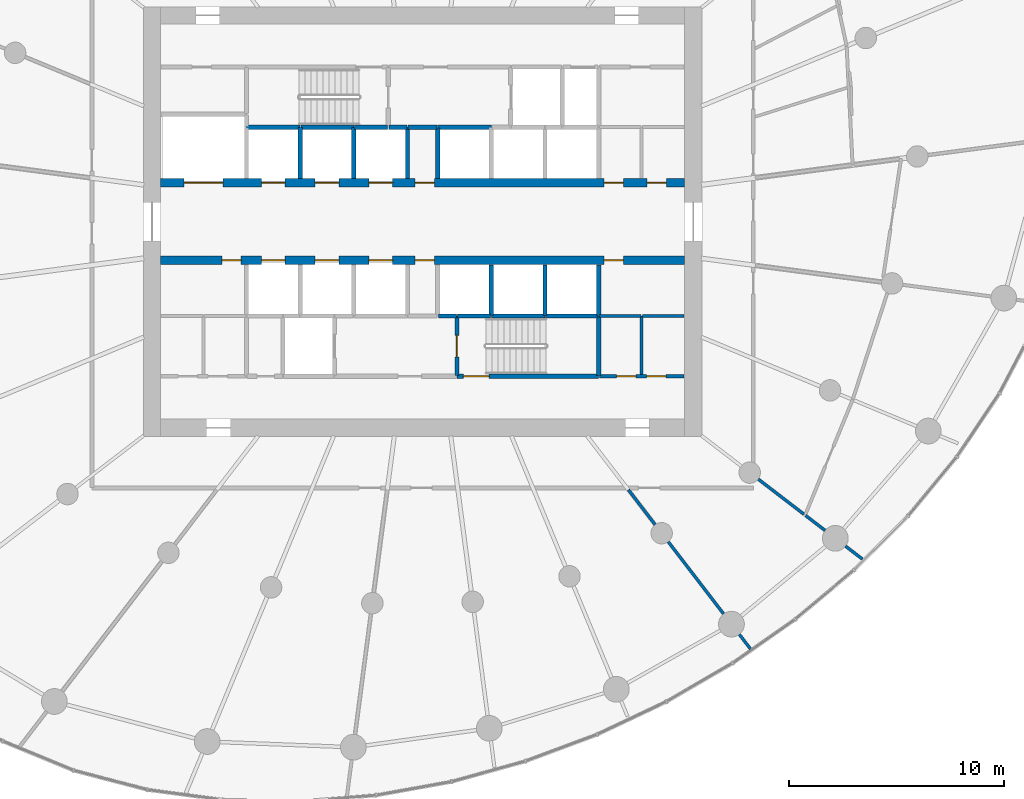
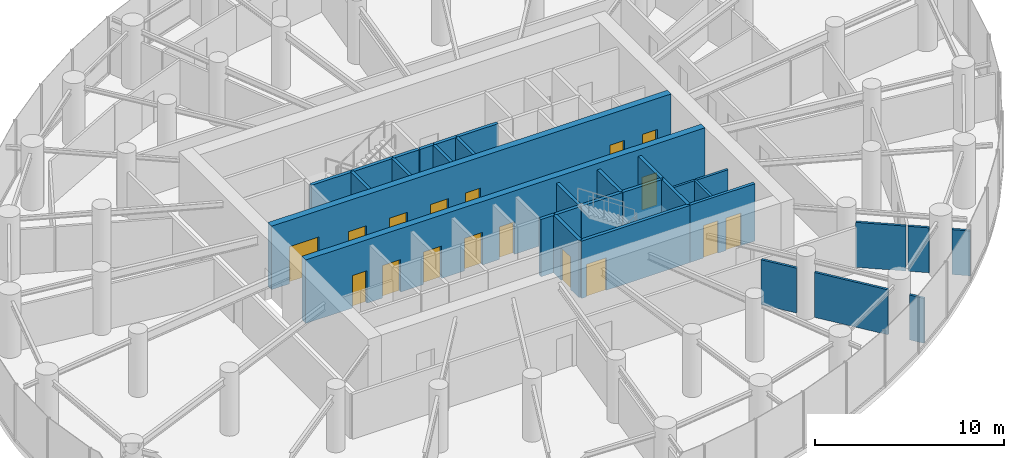
# One storey, part 12 of 18: 32 walls, 17 doors, 17 openings.
"""IFC4 building model written with IfcOpenShell, lengths in metres."""

from ifc_helpers import new_model, si_unit, direction, frame, frame_2d, origin, place, context, subcontext, project, spatial, rectangle, extrude, source, transform, mapped, material, layer, layer_set, type_object, element, fill, save


model = new_model("IFC4")

# Units and contexts
model_context = context("Model", 3, precision=1e-05, world=origin(), true_north=direction((0.0, 1.0)))
body_context = subcontext(model_context, "Body", "Model", "MODEL_VIEW")
ifc_project = project(units=[si_unit("LENGTHUNIT", "METRE"), si_unit("AREAUNIT", "SQUARE_METRE"), si_unit("VOLUMEUNIT", "CUBIC_METRE"), si_unit("PLANEANGLEUNIT", "RADIAN"), si_unit("MASSUNIT", "GRAM", prefix="KILO")], contexts=[model_context])

# Site, building, storey
site_placement = place(None, origin())
site = spatial("IfcSite", under=ifc_project, at=site_placement, CompositionType="ELEMENT")
building_placement = place(site_placement, origin())
building = spatial("IfcBuilding", under=site, at=building_placement, Name="Spindrift Exchange Tower", CompositionType="ELEMENT")
storey_placement = place(building_placement, frame((0.0, 0.0, 116.699951171875)))
storey = spatial("IfcBuildingStorey", under=building, at=storey_placement, Name="L27", CompositionType="ELEMENT", Elevation=116.699951171875)

# Wall, openings, doors
ifc_material_1 = material(Name="Concrete 65 MPa", Category="concrete")
ifc_layer_1 = layer(ifc_material_1, 0.39990234375)
ifc_layer_set_1 = layer_set([ifc_layer_1], Name="RC Spine Wall 400 Concrete 65 MPa")
wall_type_1 = type_object("IfcWallType", Name="RC Spine Wall 400 Concrete 65 MPa", PredefinedType="SHEAR", material=ifc_layer_set_1)
wall_1_placement = place(storey_placement, frame((39.800048828125, 49.800048828125, 0.0), z_axis=(0.0, 0.0, 1.0), x_axis=(1.0, 0.0, 0.0)))
wall_1 = element("IfcWall", 1, at=wall_1_placement, inside=storey, type_object=wall_type_1, Name="Core spine wall N L27", PredefinedType="SHEAR", context=body_context, shape_type="SweptSolid", body=[
    extrude(rectangle(XDim=24.39990234375, YDim=0.39990234375, at=frame_2d((12.199951171875, 0.0))), origin(), (0.0, 0.0, 1.0), 4.10009765625),
])
opening_1_placement = place(wall_1_placement, frame((4.699951171875, 0.0, 0.0)))
opening_1 = element("IfcOpeningElement", 2, at=opening_1_placement, cuts=wall_1, Name="Opening L27-D3", PredefinedType="OPENING", context=body_context, shape_type="SweptSolid", body=[
    extrude(rectangle(XDim=1.10009765625, YDim=2.10009765625, at=frame_2d((0.550048828125, 1.050048828125))), frame((0.0, 0.2099609375, 0.0), z_axis=(0.0, -1.0, 0.0), x_axis=(1.0, 0.0, 0.0)), (0.0, 0.0, 1.0), 0.419921875),
])
opening_2_placement = place(wall_1_placement, frame((7.199951171875, 0.0, 0.0)))
opening_2 = element("IfcOpeningElement", 3, at=opening_2_placement, cuts=wall_1, Name="Opening L27-D4", PredefinedType="OPENING", context=body_context, shape_type="SweptSolid", body=[
    extrude(rectangle(XDim=1.10009765625, YDim=2.10009765625, at=frame_2d((0.550048828125, 1.050048828125))), frame((0.0, 0.2099609375, 0.0), z_axis=(0.0, -1.0, 0.0), x_axis=(1.0, 0.0, 0.0)), (0.0, 0.0, 1.0), 0.419921875),
])
opening_3_placement = place(wall_1_placement, frame((9.699951171875, 0.0, 0.0)))
opening_3 = element("IfcOpeningElement", 4, at=opening_3_placement, cuts=wall_1, Name="Opening L27-D5", PredefinedType="OPENING", context=body_context, shape_type="SweptSolid", body=[
    extrude(rectangle(XDim=1.10009765625, YDim=2.10009765625, at=frame_2d((0.550048828125, 1.050048828125))), frame((0.0, 0.2099609375, 0.0), z_axis=(0.0, -1.0, 0.0), x_axis=(1.0, 0.0, 0.0)), (0.0, 0.0, 1.0), 0.419921875),
])
opening_4_placement = place(wall_1_placement, frame((1.10009765625, 0.0, 0.0)))
opening_4 = element("IfcOpeningElement", 5, at=opening_4_placement, cuts=wall_1, Name="Opening L27-D12", PredefinedType="OPENING", context=body_context, shape_type="SweptSolid", body=[
    extrude(rectangle(XDim=1.800048828125, YDim=2.39990234375, at=frame_2d((0.89990234375, 1.199951171875))), frame((0.0, 0.2099609375, 0.0), z_axis=(0.0, -1.0, 0.0), x_axis=(1.0, 0.0, 0.0)), (0.0, 0.0, 1.0), 0.419921875),
])
opening_5_placement = place(wall_1_placement, frame((20.64990234375, 0.0, 0.0)))
opening_5 = element("IfcOpeningElement", 6, at=opening_5_placement, cuts=wall_1, Name="Opening L27-D47", PredefinedType="OPENING", context=body_context, shape_type="SweptSolid", body=[
    extrude(rectangle(XDim=0.89990234375, YDim=2.10009765625, at=frame_2d((0.449951171875, 1.050048828125))), frame((0.0, 0.2099609375, 0.0), z_axis=(0.0, -1.0, 0.0), x_axis=(1.0, 0.0, 0.0)), (0.0, 0.0, 1.0), 0.419921875),
])
opening_6_placement = place(wall_1_placement, frame((22.64990234375, 0.0, 0.0)))
opening_6 = element("IfcOpeningElement", 7, at=opening_6_placement, cuts=wall_1, Name="Opening L27-D48", PredefinedType="OPENING", context=body_context, shape_type="SweptSolid", body=[
    extrude(rectangle(XDim=0.89990234375, YDim=2.10009765625, at=frame_2d((0.449951171875, 1.050048828125))), frame((0.0, 0.2099609375, 0.0), z_axis=(0.0, -1.0, 0.0), x_axis=(1.0, 0.0, 0.0)), (0.0, 0.0, 1.0), 0.419921875),
])
opening_7_placement = place(wall_1_placement, frame((11.85009765625, 0.0, 0.0)))
opening_7 = element("IfcOpeningElement", 8, at=opening_7_placement, cuts=wall_1, Name="Opening L27-D53", PredefinedType="OPENING", context=body_context, shape_type="SweptSolid", body=[
    extrude(rectangle(XDim=0.89990234375, YDim=2.10009765625, at=frame_2d((0.449951171875, 1.050048828125))), frame((0.0, 0.2099609375, 0.0), z_axis=(0.0, -1.0, 0.0), x_axis=(1.0, 0.0, 0.0)), (0.0, 0.0, 1.0), 0.419921875),
])
ifc_material_2 = material(Name="Stainless steel landing door", Category="steel")
door_type_1 = type_object("IfcDoorType", Name="DR-LANDING-1100-SL", OperationType="DOUBLE_DOOR_SLIDING", PredefinedType="USERDEFINED", material=ifc_material_2)
shared_shape_1 = source(origin(), body_context, "Body", "SweptSolid", [
    extrude(rectangle(XDim=1.10009765625, YDim=2.10009765625, at=frame_2d((0.550048828125, 1.050048828125))), frame((0.0, 0.02490234375, 0.0), z_axis=(0.0, -1.0, 0.0), x_axis=(1.0, 0.0, 0.0)), (0.0, 0.0, 1.0), 0.050048828125),
])
door_1_placement = place(opening_1_placement, origin())
door_1 = element("IfcDoor", 9, at=door_1_placement, inside=storey, type_object=door_type_1, Name="L27 Lift landing door 3", ObjectType="LANDING DOOR", OperationType="DOUBLE_DOOR_SLIDING", OverallHeight=2.10009765625, OverallWidth=1.10009765625, PredefinedType="USERDEFINED", context=body_context, shape_type="MappedRepresentation", body=[
    mapped(shared_shape_1, transform((0.0, 0.0, 0.0), scale=1.0)),
])
fill(opening_1, door_1)
door_2_placement = place(opening_2_placement, origin())
door_2 = element("IfcDoor", 10, at=door_2_placement, inside=storey, type_object=door_type_1, Name="L27 Lift landing door 4", ObjectType="LANDING DOOR", OperationType="DOUBLE_DOOR_SLIDING", OverallHeight=2.10009765625, OverallWidth=1.10009765625, PredefinedType="USERDEFINED", context=body_context, shape_type="MappedRepresentation", body=[
    mapped(shared_shape_1, transform((0.0, 0.0, 0.0), scale=1.0)),
])
fill(opening_2, door_2)
door_3_placement = place(opening_3_placement, origin())
door_3 = element("IfcDoor", 11, at=door_3_placement, inside=storey, type_object=door_type_1, Name="L27 Lift landing door 5", ObjectType="LANDING DOOR", OperationType="DOUBLE_DOOR_SLIDING", OverallHeight=2.10009765625, OverallWidth=1.10009765625, PredefinedType="USERDEFINED", context=body_context, shape_type="MappedRepresentation", body=[
    mapped(shared_shape_1, transform((0.0, 0.0, 0.0), scale=1.0)),
])
fill(opening_3, door_3)
door_type_2 = type_object("IfcDoorType", Name="DR-LANDING-1800-SL", OperationType="DOUBLE_DOOR_SLIDING", PredefinedType="USERDEFINED", material=ifc_material_2)
shared_shape_2 = source(origin(), body_context, "Body", "SweptSolid", [
    extrude(rectangle(XDim=1.800048828125, YDim=2.39990234375, at=frame_2d((0.89990234375, 1.199951171875))), frame((0.0, 0.02490234375, 0.0), z_axis=(0.0, -1.0, 0.0), x_axis=(1.0, 0.0, 0.0)), (0.0, 0.0, 1.0), 0.050048828125),
])
door_4_placement = place(opening_4_placement, origin())
door_4 = element("IfcDoor", 12, at=door_4_placement, inside=storey, type_object=door_type_2, Name="L27 Lift landing door 12", ObjectType="LANDING DOOR", OperationType="DOUBLE_DOOR_SLIDING", OverallHeight=2.39990234375, OverallWidth=1.800048828125, PredefinedType="USERDEFINED", context=body_context, shape_type="MappedRepresentation", body=[
    mapped(shared_shape_2, transform((0.0, 0.0, 0.0), scale=1.0)),
])
fill(opening_4, door_4)
ifc_material_3 = material(Name="Steel access door", Category="steel")
door_type_3 = type_object("IfcDoorType", Name="DR-RISER-900", OperationType="NOTDEFINED", PredefinedType="DOOR", material=ifc_material_3)
shared_shape_3 = source(origin(), body_context, "Body", "SweptSolid", [
    extrude(rectangle(XDim=0.89990234375, YDim=2.10009765625, at=frame_2d((0.449951171875, 1.050048828125))), frame((0.0, 0.02490234375, 0.0), z_axis=(0.0, -1.0, 0.0), x_axis=(1.0, 0.0, 0.0)), (0.0, 0.0, 1.0), 0.050048828125),
])
door_5_placement = place(opening_5_placement, origin())
door_5 = element("IfcDoor", 13, at=door_5_placement, inside=storey, type_object=door_type_3, Name="L27 Riser door 47", OperationType="SINGLE_SWING_RIGHT", OverallHeight=2.10009765625, OverallWidth=0.89990234375, PredefinedType="DOOR", context=body_context, shape_type="MappedRepresentation", body=[
    mapped(shared_shape_3, transform((0.0, 0.0, 0.0), scale=1.0)),
])
fill(opening_5, door_5)
door_6_placement = place(opening_6_placement, origin())
door_6 = element("IfcDoor", 14, at=door_6_placement, inside=storey, type_object=door_type_3, Name="L27 Riser door 48", OperationType="SINGLE_SWING_LEFT", OverallHeight=2.10009765625, OverallWidth=0.89990234375, PredefinedType="DOOR", context=body_context, shape_type="MappedRepresentation", body=[
    mapped(shared_shape_3, transform((0.0, 0.0, 0.0), scale=1.0)),
])
fill(opening_6, door_6)
door_7_placement = place(opening_7_placement, origin())
door_7 = element("IfcDoor", 15, at=door_7_placement, inside=storey, type_object=door_type_3, Name="L27 Riser door 53", OperationType="SINGLE_SWING_RIGHT", OverallHeight=2.10009765625, OverallWidth=0.89990234375, PredefinedType="DOOR", context=body_context, shape_type="MappedRepresentation", body=[
    mapped(shared_shape_3, transform((0.0, 0.0, 0.0), scale=1.0)),
])
fill(opening_7, door_7)

wall_2_placement = place(storey_placement, frame((39.800048828125, 46.199951171875, 0.0), z_axis=(0.0, 0.0, 1.0), x_axis=(1.0, 0.0, 0.0)))
wall_2 = element("IfcWall", 16, at=wall_2_placement, inside=storey, type_object=wall_type_1, Name="Core spine wall S L27", PredefinedType="SHEAR", context=body_context, shape_type="SweptSolid", body=[
    extrude(rectangle(XDim=24.39990234375, YDim=0.39990234375, at=frame_2d((12.199951171875, 0.0))), origin(), (0.0, 0.0, 1.0), 4.10009765625),
])
opening_8_placement = place(wall_2_placement, frame((4.699951171875, 0.0, 0.0)))
opening_8 = element("IfcOpeningElement", 17, at=opening_8_placement, cuts=wall_2, Name="Opening L27-D6", PredefinedType="OPENING", context=body_context, shape_type="SweptSolid", body=[
    extrude(rectangle(XDim=1.10009765625, YDim=2.10009765625, at=frame_2d((0.550048828125, 1.050048828125))), frame((0.0, 0.2099609375, 0.0), z_axis=(0.0, -1.0, 0.0), x_axis=(1.0, 0.0, 0.0)), (0.0, 0.0, 1.0), 0.419921875),
])
opening_9_placement = place(wall_2_placement, frame((7.199951171875, 0.0, 0.0)))
opening_9 = element("IfcOpeningElement", 18, at=opening_9_placement, cuts=wall_2, Name="Opening L27-D7", PredefinedType="OPENING", context=body_context, shape_type="SweptSolid", body=[
    extrude(rectangle(XDim=1.10009765625, YDim=2.10009765625, at=frame_2d((0.550048828125, 1.050048828125))), frame((0.0, 0.2099609375, 0.0), z_axis=(0.0, -1.0, 0.0), x_axis=(1.0, 0.0, 0.0)), (0.0, 0.0, 1.0), 0.419921875),
])
opening_10_placement = place(wall_2_placement, frame((9.699951171875, 0.0, 0.0)))
opening_10 = element("IfcOpeningElement", 19, at=opening_10_placement, cuts=wall_2, Name="Opening L27-D8", PredefinedType="OPENING", context=body_context, shape_type="SweptSolid", body=[
    extrude(rectangle(XDim=1.10009765625, YDim=2.10009765625, at=frame_2d((0.550048828125, 1.050048828125))), frame((0.0, 0.2099609375, 0.0), z_axis=(0.0, -1.0, 0.0), x_axis=(1.0, 0.0, 0.0)), (0.0, 0.0, 1.0), 0.419921875),
])
opening_11_placement = place(wall_2_placement, frame((20.64990234375, 0.0, 0.0)))
opening_11 = element("IfcOpeningElement", 20, at=opening_11_placement, cuts=wall_2, Name="Opening L27-D46", PredefinedType="OPENING", context=body_context, shape_type="SweptSolid", body=[
    extrude(rectangle(XDim=0.89990234375, YDim=2.10009765625, at=frame_2d((0.449951171875, 1.050048828125))), frame((0.0, 0.2099609375, 0.0), z_axis=(0.0, -1.0, 0.0), x_axis=(1.0, 0.0, 0.0)), (0.0, 0.0, 1.0), 0.419921875),
])
opening_12_placement = place(wall_2_placement, frame((2.85009765625, 0.0, 0.0)))
opening_12 = element("IfcOpeningElement", 21, at=opening_12_placement, cuts=wall_2, Name="Opening L27-D52", PredefinedType="OPENING", context=body_context, shape_type="SweptSolid", body=[
    extrude(rectangle(XDim=0.89990234375, YDim=2.10009765625, at=frame_2d((0.449951171875, 1.050048828125))), frame((0.0, 0.2099609375, 0.0), z_axis=(0.0, -1.0, 0.0), x_axis=(1.0, 0.0, 0.0)), (0.0, 0.0, 1.0), 0.419921875),
])
opening_13_placement = place(wall_2_placement, frame((11.85009765625, 0.0, 0.0)))
opening_13 = element("IfcOpeningElement", 22, at=opening_13_placement, cuts=wall_2, Name="Opening L27-D54", PredefinedType="OPENING", context=body_context, shape_type="SweptSolid", body=[
    extrude(rectangle(XDim=0.89990234375, YDim=2.10009765625, at=frame_2d((0.449951171875, 1.050048828125))), frame((0.0, 0.2099609375, 0.0), z_axis=(0.0, -1.0, 0.0), x_axis=(1.0, 0.0, 0.0)), (0.0, 0.0, 1.0), 0.419921875),
])
door_8_placement = place(opening_8_placement, origin())
door_8 = element("IfcDoor", 23, at=door_8_placement, inside=storey, type_object=door_type_1, Name="L27 Lift landing door 6", ObjectType="LANDING DOOR", OperationType="DOUBLE_DOOR_SLIDING", OverallHeight=2.10009765625, OverallWidth=1.10009765625, PredefinedType="USERDEFINED", context=body_context, shape_type="MappedRepresentation", body=[
    mapped(shared_shape_1, transform((0.0, 0.0, 0.0), scale=1.0)),
])
fill(opening_8, door_8)
door_9_placement = place(opening_9_placement, origin())
door_9 = element("IfcDoor", 24, at=door_9_placement, inside=storey, type_object=door_type_1, Name="L27 Lift landing door 7", ObjectType="LANDING DOOR", OperationType="DOUBLE_DOOR_SLIDING", OverallHeight=2.10009765625, OverallWidth=1.10009765625, PredefinedType="USERDEFINED", context=body_context, shape_type="MappedRepresentation", body=[
    mapped(shared_shape_1, transform((0.0, 0.0, 0.0), scale=1.0)),
])
fill(opening_9, door_9)
door_10_placement = place(opening_10_placement, origin())
door_10 = element("IfcDoor", 25, at=door_10_placement, inside=storey, type_object=door_type_1, Name="L27 Lift landing door 8", ObjectType="LANDING DOOR", OperationType="DOUBLE_DOOR_SLIDING", OverallHeight=2.10009765625, OverallWidth=1.10009765625, PredefinedType="USERDEFINED", context=body_context, shape_type="MappedRepresentation", body=[
    mapped(shared_shape_1, transform((0.0, 0.0, 0.0), scale=1.0)),
])
fill(opening_10, door_10)
door_11_placement = place(opening_11_placement, origin())
door_11 = element("IfcDoor", 26, at=door_11_placement, inside=storey, type_object=door_type_3, Name="L27 Riser door 46", OperationType="SINGLE_SWING_LEFT", OverallHeight=2.10009765625, OverallWidth=0.89990234375, PredefinedType="DOOR", context=body_context, shape_type="MappedRepresentation", body=[
    mapped(shared_shape_3, transform((0.0, 0.0, 0.0), scale=1.0)),
])
fill(opening_11, door_11)
door_12_placement = place(opening_12_placement, origin())
door_12 = element("IfcDoor", 27, at=door_12_placement, inside=storey, type_object=door_type_3, Name="L27 Riser door 52", OperationType="SINGLE_SWING_LEFT", OverallHeight=2.10009765625, OverallWidth=0.89990234375, PredefinedType="DOOR", context=body_context, shape_type="MappedRepresentation", body=[
    mapped(shared_shape_3, transform((0.0, 0.0, 0.0), scale=1.0)),
])
fill(opening_12, door_12)
door_13_placement = place(opening_13_placement, origin())
door_13 = element("IfcDoor", 28, at=door_13_placement, inside=storey, type_object=door_type_3, Name="L27 Riser door 54", OperationType="SINGLE_SWING_LEFT", OverallHeight=2.10009765625, OverallWidth=0.89990234375, PredefinedType="DOOR", context=body_context, shape_type="MappedRepresentation", body=[
    mapped(shared_shape_3, transform((0.0, 0.0, 0.0), scale=1.0)),
])
fill(opening_13, door_13)

ifc_material_4 = material(Name="Fire-rated plasterboard partition", Category="gypsum")
ifc_layer_2 = layer(ifc_material_4, 0.179931640625)
ifc_layer_set_2 = layer_set([ifc_layer_2], Name="W-CORR-180")
wall_type_2 = type_object("IfcWallType", Name="W-CORR-180", PredefinedType="PARTITIONING", material=ifc_layer_set_2)
wall_3_placement = place(storey_placement, frame((60.22998046875, 40.800048828125, 0.0), z_axis=(0.0, 0.0, 1.0), x_axis=(1.0, 0.0, 0.0)))
wall_3 = element("IfcWall", 29, at=wall_3_placement, inside=storey, type_object=wall_type_2, Name="L27 Partition wall 61", PredefinedType="PARTITIONING", context=body_context, shape_type="SweptSolid", body=[
    extrude(rectangle(XDim=3.949951171875, YDim=0.179931640625, at=frame_2d((1.97509765625, 0.0))), origin(), (0.0, 0.0, 1.0), 3.699951171875),
])
opening_14_placement = place(wall_3_placement, frame((0.800048828125, 0.0, 0.0)))
opening_14 = element("IfcOpeningElement", 30, at=opening_14_placement, cuts=wall_3, Name="Opening L27-D50", PredefinedType="OPENING", context=body_context, shape_type="SweptSolid", body=[
    extrude(rectangle(XDim=0.89990234375, YDim=2.10009765625, at=frame_2d((0.449951171875, 1.050048828125))), frame((0.0, 0.099853515625, 0.0), z_axis=(0.0, -1.0, 0.0), x_axis=(1.0, 0.0, 0.0)), (0.0, 0.0, 1.0), 0.199951171875),
])
opening_15_placement = place(wall_3_placement, frame((2.199951171875, 0.0, 0.0)))
opening_15 = element("IfcOpeningElement", 31, at=opening_15_placement, cuts=wall_3, Name="Opening L27-D51", PredefinedType="OPENING", context=body_context, shape_type="SweptSolid", body=[
    extrude(rectangle(XDim=0.89990234375, YDim=2.10009765625, at=frame_2d((0.449951171875, 1.050048828125))), frame((0.0, 0.099853515625, 0.0), z_axis=(0.0, -1.0, 0.0), x_axis=(1.0, 0.0, 0.0)), (0.0, 0.0, 1.0), 0.199951171875),
])
door_14_placement = place(opening_14_placement, origin())
door_14 = element("IfcDoor", 32, at=door_14_placement, inside=storey, type_object=door_type_3, Name="L27 Riser door 50", OperationType="SINGLE_SWING_LEFT", OverallHeight=2.10009765625, OverallWidth=0.89990234375, PredefinedType="DOOR", context=body_context, shape_type="MappedRepresentation", body=[
    mapped(shared_shape_3, transform((0.0, 0.0, 0.0), scale=1.0)),
])
fill(opening_14, door_14)
door_15_placement = place(opening_15_placement, origin())
door_15 = element("IfcDoor", 33, at=door_15_placement, inside=storey, type_object=door_type_3, Name="L27 Riser door 51", OperationType="SINGLE_SWING_RIGHT", OverallHeight=2.10009765625, OverallWidth=0.89990234375, PredefinedType="DOOR", context=body_context, shape_type="MappedRepresentation", body=[
    mapped(shared_shape_3, transform((0.0, 0.0, 0.0), scale=1.0)),
])
fill(opening_15, door_15)

# Walls
ifc_layer_3 = layer(ifc_material_4, 0.139892578125)
ifc_layer_set_3 = layer_set([ifc_layer_3], Name="W-PART-140")
wall_type_3 = type_object("IfcWallType", Name="W-PART-140", PredefinedType="PARTITIONING", material=ifc_layer_set_3)
wall_4_placement = place(storey_placement, frame((62.199951171875, 40.889892578125, 0.0), z_axis=(0.0, 0.0, 1.0), x_axis=(0.0, 1.0, 0.0)))
element("IfcWall", 34, at=wall_4_placement, inside=storey, type_object=wall_type_3, Name="L27 Partition wall 92", PredefinedType="PARTITIONING", context=body_context, shape_type="SweptSolid", body=[
    extrude(rectangle(XDim=2.710205078125, YDim=0.139892578125, at=frame_2d((1.35498046875, 0.0))), origin(), (0.0, 0.0, 1.0), 2.900146484375),
])
wall_5_placement = place(storey_placement, frame((60.22998046875, 43.60009765625, 0.0), z_axis=(0.0, 0.0, 1.0), x_axis=(1.0, 0.0, 0.0)))
element("IfcWall", 35, at=wall_5_placement, inside=storey, type_object=wall_type_3, Name="L27 Partition wall 101", PredefinedType="PARTITIONING", context=body_context, shape_type="SweptSolid", body=[
    extrude(rectangle(XDim=1.93994140625, YDim=0.139892578125, at=frame_2d((0.969970703125, 0.0))), origin(), (0.0, 0.0, 1.0), 2.900146484375),
])
wall_6_placement = place(storey_placement, frame((62.22998046875, 43.60009765625, 0.0), z_axis=(0.0, 0.0, 1.0), x_axis=(1.0, 0.0, 0.0)))
element("IfcWall", 36, at=wall_6_placement, inside=storey, type_object=wall_type_3, Name="L27 Partition wall 103", PredefinedType="PARTITIONING", context=body_context, shape_type="SweptSolid", body=[
    extrude(rectangle(XDim=1.949951171875, YDim=0.139892578125, at=frame_2d((0.97509765625, 0.0))), origin(), (0.0, 0.0, 1.0), 2.900146484375),
])
wall_7_placement = place(storey_placement, frame((69.836669921875, 34.3134765625, 0.0), z_axis=(0.0, 0.0, 1.0), x_axis=(0.79334062517, -0.60877799932, 0.0)))
element("IfcWall", 37, at=wall_7_placement, inside=storey, type_object=wall_type_3, Name="L27 Partition wall 117", PredefinedType="PARTITIONING", context=body_context, shape_type="SweptSolid", body=[
    extrude(rectangle(XDim=1.138916015625, YDim=0.139892578125, at=frame_2d((0.5693359375, 0.0))), origin(), (0.0, 0.0, 1.0), 2.900146484375),
])
wall_8_placement = place(storey_placement, frame((71.69921875, 32.88427734375, 0.0), z_axis=(0.0, 0.0, 1.0), x_axis=(0.793356384424, -0.608757461798, 0.0)))
element("IfcWall", 38, at=wall_8_placement, inside=storey, type_object=wall_type_3, Name="L27 Partition wall 121", PredefinedType="PARTITIONING", context=body_context, shape_type="SweptSolid", body=[
    extrude(rectangle(XDim=0.990478515625, YDim=0.139892578125, at=frame_2d((0.4951171875, 0.0))), origin(), (0.0, 0.0, 1.0), 2.900146484375),
])
ifc_layer_4 = layer(ifc_material_4, 0.139892578125)
ifc_layer_set_4 = layer_set([ifc_layer_4], Name="W-PLANT-140")
wall_type_4 = type_object("IfcWallType", Name="W-PLANT-140", PredefinedType="PARTITIONING", material=ifc_layer_set_4)
wall_9_placement = place(storey_placement, frame((63.44091796875, 33.08984375, 0.0), z_axis=(0.0, 0.0, 1.0), x_axis=(0.608789197027, -0.793332032369, 0.0)))
element("IfcWall", 39, at=wall_9_placement, inside=storey, type_object=wall_type_4, Name="L27 Partition wall 85", PredefinedType="PARTITIONING", context=body_context, shape_type="SweptSolid", body=[
    extrude(rectangle(XDim=4.226806640625, YDim=0.139892578125, at=frame_2d((2.11328125, 0.0))), origin(), (0.0, 0.0, 1.0), 2.900146484375),
])
wall_10_placement = place(storey_placement, frame((67.632568359375, 36.004638671875, 0.0), z_axis=(0.0, 0.0, 1.0), x_axis=(0.793349293227, -0.60876670321, 0.0)))
element("IfcWall", 40, at=wall_10_placement, inside=storey, type_object=wall_type_4, Name="L27 Partition wall 93", PredefinedType="PARTITIONING", context=body_context, shape_type="SweptSolid", body=[
    extrude(rectangle(XDim=2.67578125, YDim=0.139892578125, at=frame_2d((1.337890625, 0.0))), origin(), (0.0, 0.0, 1.0), 2.900146484375),
])
wall_11_placement = place(storey_placement, frame((61.583984375, 35.510009765625, 0.0), z_axis=(0.0, 0.0, 1.0), x_axis=(0.608727763541, -0.793379171578, 0.0)))
element("IfcWall", 41, at=wall_11_placement, inside=storey, type_object=wall_type_4, Name="L27 Partition wall 96", PredefinedType="PARTITIONING", context=body_context, shape_type="SweptSolid", body=[
    extrude(rectangle(XDim=2.04150390625, YDim=0.139892578125, at=frame_2d((1.020751953125, 0.0))), origin(), (0.0, 0.0, 1.0), 2.900146484375),
])
wall_12_placement = place(storey_placement, frame((66.75, 28.777587890625, 0.0), z_axis=(0.0, 0.0, 1.0), x_axis=(0.608624937743, -0.793458055071, 0.0)))
element("IfcWall", 42, at=wall_12_placement, inside=storey, type_object=wall_type_4, Name="L27 Partition wall 124", PredefinedType="PARTITIONING", context=body_context, shape_type="SweptSolid", body=[
    extrude(rectangle(XDim=0.847900390625, YDim=0.139892578125, at=frame_2d((0.423828125, 0.0))), origin(), (0.0, 0.0, 1.0), 2.900146484375),
])
ifc_material_5 = material(Name="Concrete 40 MPa", Category="concrete")
ifc_layer_5 = layer(ifc_material_5, 0.199951171875)
ifc_layer_set_5 = layer_set([ifc_layer_5], Name="W-SHAFT-200")
wall_type_5 = type_object("IfcWallType", Name="W-SHAFT-200", PredefinedType="SOLIDWALL", material=ifc_layer_set_5)
wall_13_placement = place(storey_placement, frame((55.199951171875, 52.39990234375, 0.0), z_axis=(0.0, 0.0, 1.0), x_axis=(-1.0, 0.0, 0.0)))
element("IfcWall", 43, at=wall_13_placement, inside=storey, type_object=wall_type_5, Name="L27 Shaft wall 18", PredefinedType="SOLIDWALL", context=body_context, shape_type="SweptSolid", body=[
    extrude(rectangle(XDim=2.5, YDim=0.199951171875, at=frame_2d((1.25, 0.0))), origin(), (0.0, 0.0, 1.0), 3.699951171875),
])
wall_14_placement = place(storey_placement, frame((51.300048828125, 50.010009765625, 0.0), z_axis=(0.0, 0.0, 1.0), x_axis=(0.0, 1.0, 0.0)))
element("IfcWall", 44, at=wall_14_placement, inside=storey, type_object=wall_type_5, Name="L27 Shaft wall 30", PredefinedType="SOLIDWALL", context=body_context, shape_type="SweptSolid", body=[
    extrude(rectangle(XDim=2.389892578125, YDim=0.199951171875, at=frame_2d((1.19482421875, 0.0))), origin(), (0.0, 0.0, 1.0), 3.699951171875),
])
wall_15_placement = place(storey_placement, frame((52.699951171875, 52.3701171875, 0.0), z_axis=(0.0, 0.0, 1.0), x_axis=(0.0, -1.0, 0.0)))
element("IfcWall", 45, at=wall_15_placement, inside=storey, type_object=wall_type_5, Name="L27 Shaft wall 32", PredefinedType="SOLIDWALL", context=body_context, shape_type="SweptSolid", body=[
    extrude(rectangle(XDim=2.360107421875, YDim=0.199951171875, at=frame_2d((1.18017578125, 0.0))), origin(), (0.0, 0.0, 1.0), 3.699951171875),
])
wall_16_placement = place(storey_placement, frame((51.330078125, 52.39990234375, 0.0), z_axis=(0.0, 0.0, 1.0), x_axis=(1.0, 0.0, 0.0)))
element("IfcWall", 46, at=wall_16_placement, inside=storey, type_object=wall_type_5, Name="L27 Shaft wall 49", PredefinedType="SOLIDWALL", context=body_context, shape_type="SweptSolid", body=[
    extrude(rectangle(XDim=1.33984375, YDim=0.199951171875, at=frame_2d((0.669921875, 0.0))), origin(), (0.0, 0.0, 1.0), 3.699951171875),
])

# Wall, opening, door
ifc_layer_6 = layer(ifc_material_5, 0.199951171875)
ifc_layer_set_6 = layer_set([ifc_layer_6], Name="W-SHAFT-200-LB")
wall_type_6 = type_object("IfcWallType", Name="W-SHAFT-200-LB", PredefinedType="SOLIDWALL", material=ifc_layer_set_6)
wall_17_placement = place(storey_placement, frame((53.60009765625, 40.800048828125, 0.0), z_axis=(0.0, 0.0, 1.0), x_axis=(1.0, 0.0, 0.0)))
wall_17 = element("IfcWall", 47, at=wall_17_placement, inside=storey, type_object=wall_type_6, Name="L27 Shaft wall 2", PredefinedType="SOLIDWALL", context=body_context, shape_type="SweptSolid", body=[
    extrude(rectangle(XDim=6.599853515625, YDim=0.199951171875, at=frame_2d((3.2998046875, 0.0))), origin(), (0.0, 0.0, 1.0), 3.699951171875),
])
opening_16_placement = place(wall_17_placement, frame((0.300048828125, 0.0, 0.0)))
opening_16 = element("IfcOpeningElement", 48, at=opening_16_placement, cuts=wall_17, Name="Opening L27-D16", PredefinedType="OPENING", context=body_context, shape_type="SweptSolid", body=[
    extrude(rectangle(XDim=1.199951171875, YDim=2.10009765625, at=frame_2d((0.60009765625, 1.050048828125))), frame((0.0, 0.10986328125, 0.0), z_axis=(0.0, -1.0, 0.0), x_axis=(1.0, 0.0, 0.0)), (0.0, 0.0, 1.0), 0.219970703125),
])
ifc_material_6 = material(Name="Steel fire door", Category="steel")
door_type_4 = type_object("IfcDoorType", Name="DR-STAIR-1200", OperationType="NOTDEFINED", PredefinedType="DOOR", material=ifc_material_6)
shared_shape_4 = source(origin(), body_context, "Body", "SweptSolid", [
    extrude(rectangle(XDim=1.199951171875, YDim=2.10009765625, at=frame_2d((0.60009765625, 1.050048828125))), frame((0.0, 0.02490234375, 0.0), z_axis=(0.0, -1.0, 0.0), x_axis=(1.0, 0.0, 0.0)), (0.0, 0.0, 1.0), 0.050048828125),
])
door_16_placement = place(opening_16_placement, origin())
door_16 = element("IfcDoor", 49, at=door_16_placement, inside=storey, type_object=door_type_4, Name="L27 Stair door 16", OperationType="SINGLE_SWING_LEFT", OverallHeight=2.10009765625, OverallWidth=1.199951171875, PredefinedType="DOOR", context=body_context, shape_type="MappedRepresentation", body=[
    mapped(shared_shape_4, transform((0.0, 0.0, 0.0), scale=1.0)),
])
fill(opening_16, door_16)

# Wall
wall_18_placement = place(storey_placement, frame((60.199951171875, 40.830078125, 0.0), z_axis=(0.0, 0.0, 1.0), x_axis=(0.0, 1.0, 0.0)))
element("IfcWall", 50, at=wall_18_placement, inside=storey, type_object=wall_type_6, Name="L27 Shaft wall 10", PredefinedType="SOLIDWALL", context=body_context, shape_type="SweptSolid", body=[
    extrude(rectangle(XDim=2.77001953125, YDim=0.199951171875, at=frame_2d((1.385009765625, 0.0))), origin(), (0.0, 0.0, 1.0), 3.699951171875),
])

# Wall, opening, door
wall_19_placement = place(storey_placement, frame((53.60009765625, 43.60009765625, 0.0), z_axis=(0.0, 0.0, 1.0), x_axis=(0.0, -1.0, 0.0)))
wall_19 = element("IfcWall", 51, at=wall_19_placement, inside=storey, type_object=wall_type_6, Name="L27 Shaft wall 11", PredefinedType="SOLIDWALL", context=body_context, shape_type="SweptSolid", body=[
    extrude(rectangle(XDim=2.77001953125, YDim=0.199951171875, at=frame_2d((1.385009765625, 0.0))), origin(), (0.0, 0.0, 1.0), 3.699951171875),
])
opening_17_placement = place(wall_19_placement, frame((0.89990234375, 0.0, 0.0)))
opening_17 = element("IfcOpeningElement", 52, at=opening_17_placement, cuts=wall_19, Name="Opening L27-D17", PredefinedType="OPENING", context=body_context, shape_type="SweptSolid", body=[
    extrude(rectangle(XDim=1.0, YDim=2.10009765625, at=frame_2d((0.5, 1.050048828125))), frame((0.0, 0.10986328125, 0.0), z_axis=(0.0, -1.0, 0.0), x_axis=(1.0, 0.0, 0.0)), (0.0, 0.0, 1.0), 0.219970703125),
])
door_type_5 = type_object("IfcDoorType", Name="DR-STAIR-1000", OperationType="NOTDEFINED", PredefinedType="DOOR", material=ifc_material_6)
shared_shape_5 = source(origin(), body_context, "Body", "SweptSolid", [
    extrude(rectangle(XDim=1.0, YDim=2.10009765625, at=frame_2d((0.5, 1.050048828125))), frame((0.0, 0.02490234375, 0.0), z_axis=(0.0, -1.0, 0.0), x_axis=(1.0, 0.0, 0.0)), (0.0, 0.0, 1.0), 0.050048828125),
])
door_17_placement = place(opening_17_placement, origin())
door_17 = element("IfcDoor", 53, at=door_17_placement, inside=storey, type_object=door_type_5, Name="L27 Stair door 17", OperationType="SINGLE_SWING_RIGHT", OverallHeight=2.10009765625, OverallWidth=1.0, PredefinedType="DOOR", context=body_context, shape_type="MappedRepresentation", body=[
    mapped(shared_shape_5, transform((0.0, 0.0, 0.0), scale=1.0)),
])
fill(opening_17, door_17)

# Walls
wall_20_placement = place(storey_placement, frame((46.300048828125, 52.39990234375, 0.0), z_axis=(0.0, 0.0, 1.0), x_axis=(-1.0, 0.0, 0.0)))
element("IfcWall", 54, at=wall_20_placement, inside=storey, type_object=wall_type_6, Name="L27 Shaft wall 15", PredefinedType="SOLIDWALL", context=body_context, shape_type="SweptSolid", body=[
    extrude(rectangle(XDim=2.5, YDim=0.199951171875, at=frame_2d((1.25, 0.0))), origin(), (0.0, 0.0, 1.0), 3.699951171875),
])
wall_21_placement = place(storey_placement, frame((48.800048828125, 52.39990234375, 0.0), z_axis=(0.0, 0.0, 1.0), x_axis=(-1.0, 0.0, 0.0)))
element("IfcWall", 55, at=wall_21_placement, inside=storey, type_object=wall_type_6, Name="L27 Shaft wall 16", PredefinedType="SOLIDWALL", context=body_context, shape_type="SweptSolid", body=[
    extrude(rectangle(XDim=2.469970703125, YDim=0.199951171875, at=frame_2d((1.23486328125, 0.0))), origin(), (0.0, 0.0, 1.0), 3.699951171875),
])
wall_22_placement = place(storey_placement, frame((55.199951171875, 43.60009765625, 0.0), z_axis=(0.0, 0.0, 1.0), x_axis=(1.0, 0.0, 0.0)))
element("IfcWall", 56, at=wall_22_placement, inside=storey, type_object=wall_type_6, Name="L27 Shaft wall 19", PredefinedType="SOLIDWALL", context=body_context, shape_type="SweptSolid", body=[
    extrude(rectangle(XDim=2.5, YDim=0.199951171875, at=frame_2d((1.25, 0.0))), origin(), (0.0, 0.0, 1.0), 3.699951171875),
])
wall_23_placement = place(storey_placement, frame((57.72998046875, 43.60009765625, 0.0), z_axis=(0.0, 0.0, 1.0), x_axis=(1.0, 0.0, 0.0)))
element("IfcWall", 57, at=wall_23_placement, inside=storey, type_object=wall_type_6, Name="L27 Shaft wall 20", PredefinedType="SOLIDWALL", context=body_context, shape_type="SweptSolid", body=[
    extrude(rectangle(XDim=2.43994140625, YDim=0.199951171875, at=frame_2d((1.219970703125, 0.0))), origin(), (0.0, 0.0, 1.0), 3.699951171875),
])
for number, where, z_axis, x_axis, name in (
    (58, (46.300048828125, 50.010009765625, 0.0), (0.0, 0.0, 1.0), (0.0, 1.0, 0.0), "L27 Shaft wall 26"),
    (59, (48.800048828125, 50.010009765625, 0.0), (0.0, 0.0, 1.0), (0.0, 1.0, 0.0), "L27 Shaft wall 28"),
    (60, (55.199951171875, 43.6298828125, 0.0), (0.0, 0.0, 1.0), (0.0, 1.0, 0.0), "L27 Shaft wall 33"),
    (61, (57.699951171875, 43.6298828125, 0.0), (0.0, 0.0, 1.0), (0.0, 1.0, 0.0), "L27 Shaft wall 35"),
    (62, (60.199951171875, 43.6298828125, 0.0), (0.0, 0.0, 1.0), (0.0, 1.0, 0.0), "L27 Shaft wall 37"),
):
    element("IfcWall", number, at=place(storey_placement, frame(where, z_axis=z_axis, x_axis=x_axis)), inside=storey, type_object=wall_type_6, Name=name, PredefinedType="SOLIDWALL", context=body_context, shape_type="SweptSolid", body=[
        extrude(rectangle(XDim=2.360107421875, YDim=0.199951171875, at=frame_2d((1.18017578125, 0.0))), origin(), (0.0, 0.0, 1.0), 3.699951171875),
    ])
for number, where, z_axis, x_axis, name in (
    (63, (50.3701171875, 52.39990234375, 0.0), (0.0, 0.0, 1.0), (-1.0, 0.0, 0.0), "L27 Shaft wall 45"),
    (64, (53.6298828125, 43.60009765625, 0.0), (0.0, 0.0, 1.0), (1.0, 0.0, 0.0), "L27 Shaft wall 46"),
):
    element("IfcWall", number, at=place(storey_placement, frame(where, z_axis=z_axis, x_axis=x_axis)), inside=storey, type_object=wall_type_6, Name=name, PredefinedType="SOLIDWALL", context=body_context, shape_type="SweptSolid", body=[
        extrude(rectangle(XDim=1.5400390625, YDim=0.199951171875, at=frame_2d((0.77001953125, 0.0))), origin(), (0.0, 0.0, 1.0), 3.699951171875),
    ])
for number, where, z_axis, x_axis, name in (
    (65, (51.27001953125, 52.39990234375, 0.0), (0.0, 0.0, 1.0), (-1.0, 0.0, 0.0), "L27 Shaft wall 51"),
    (66, (52.72998046875, 43.60009765625, 0.0), (0.0, 0.0, 1.0), (1.0, 0.0, 0.0), "L27 Shaft wall 52"),
):
    element("IfcWall", number, at=place(storey_placement, frame(where, z_axis=z_axis, x_axis=x_axis)), inside=storey, type_object=wall_type_6, Name=name, PredefinedType="SOLIDWALL", context=body_context, shape_type="SweptSolid", body=[
        extrude(rectangle(XDim=0.840087890625, YDim=0.199951171875, at=frame_2d((0.419921875, 0.0))), origin(), (0.0, 0.0, 1.0), 3.699951171875),
    ])

save(model, "model.ifc")
